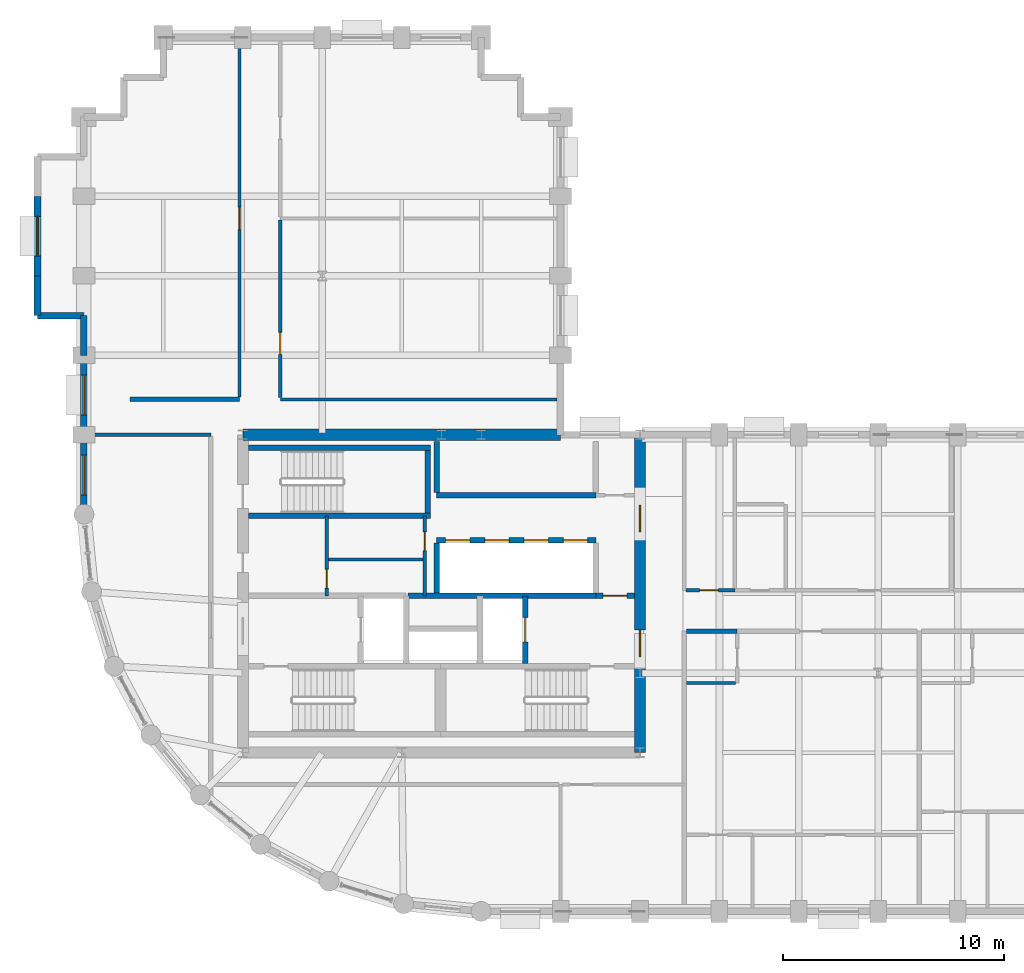
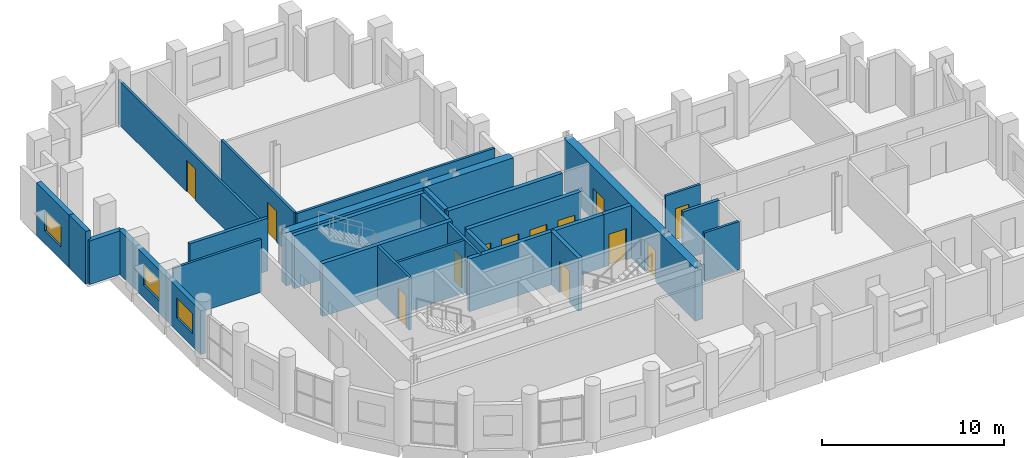
# One storey, part 9 of 14: 29 walls, 13 doors, 3 windows, 16 openings.
"""IFC4 building model written with IfcOpenShell, lengths in metres."""

from ifc_helpers import new_model, si_unit, direction, frame, frame_2d, origin, place, context, subcontext, project, spatial, rectangle, extrude, material, layer, layer_set, type_object, element, fill, save


model = new_model("IFC4")

# Units and contexts
model_context = context("Model", 3, precision=1e-05, world=origin(), true_north=direction((0.0, 1.0)))
body_context = subcontext(model_context, "Body", "Model", "MODEL_VIEW")
ifc_project = project(units=[si_unit("LENGTHUNIT", "METRE"), si_unit("AREAUNIT", "SQUARE_METRE"), si_unit("VOLUMEUNIT", "CUBIC_METRE"), si_unit("PLANEANGLEUNIT", "RADIAN"), si_unit("MASSUNIT", "GRAM", prefix="KILO")], contexts=[model_context])

# Site, building, storey
site_placement = place(None, origin())
site = spatial("IfcSite", under=ifc_project, at=site_placement, CompositionType="ELEMENT")
building_placement = place(site_placement, origin())
building = spatial("IfcBuilding", under=site, at=building_placement, Name="Solnavia Interchange Tower", CompositionType="ELEMENT")
storey_placement = place(building_placement, frame((0.0, 0.0, 158.0)))
storey = spatial("IfcBuildingStorey", under=building, at=storey_placement, Name="L39", CompositionType="ELEMENT", Elevation=158.0)

# Walls
ifc_material_1 = material(Name="Gypsum Acoustic Twin-Stud & Mineral Wool", Category="gypsum")
ifc_layer_1 = layer(ifc_material_1, 0.199951171875)
ifc_layer_set_1 = layer_set([ifc_layer_1], Name="Gypsum Acoustic Twin-Stud & Mineral Wool")
wall_type_1 = type_object("IfcWallType", Name="Wall-ApartmentParty-200", PredefinedType="PARTITIONING", material=ifc_layer_set_1)
wall_1_placement = place(storey_placement, frame((34.50390625, 16.300048828125, 0.0), z_axis=(0.0, 0.0, 1.0), x_axis=(1.0, 0.0, 0.0)))
element("IfcWall", 1, at=wall_1_placement, inside=storey, type_object=wall_type_1, Name="PTW-L39-14 Interior partition wall", PredefinedType="PARTITIONING", context=body_context, shape_type="SweptSolid", body=[
    extrude(rectangle(XDim=2.296142578125, YDim=0.199951171875, at=frame_2d((1.14794921875, 0.0))), origin(), (0.0, 0.0, 1.0), 3.219970703125),
])
wall_2_placement = place(storey_placement, frame((9.300048828125, 26.800048828125, 0.0), z_axis=(0.0, 0.0, 1.0), x_axis=(1.0, 0.0, 0.0)))
element("IfcWall", 2, at=wall_2_placement, inside=storey, type_object=wall_type_1, Name="PTW-L39-31 Interior partition wall", PredefinedType="PARTITIONING", context=body_context, shape_type="SweptSolid", body=[
    extrude(rectangle(XDim=4.949951171875, YDim=0.199951171875, at=frame_2d((2.47509765625, 0.0))), origin(), (0.0, 0.0, 1.0), 3.534912109375),
])

# Wall, opening, window
ifc_material_2 = material(Name="Concrete C40/50", Category="concrete")
ifc_layer_2 = layer(ifc_material_2, 0.300048828125)
ifc_layer_set_2 = layer_set([ifc_layer_2], Name="Concrete C40/50")
wall_type_2 = type_object("IfcWallType", Name="Wall-ExtSpandrel-300", PredefinedType="STANDARD", material=ifc_layer_set_2)
wall_3_placement = place(storey_placement, frame((5.10009765625, 32.39990234375, 0.0), z_axis=(0.0, 0.0, 1.0), x_axis=(0.0, 1.0, 0.0)))
wall_3 = element("IfcWall", 3, at=wall_3_placement, inside=storey, type_object=wall_type_2, Name="EXW-L39-45 Exterior precast spandrel wall", PredefinedType="STANDARD", context=body_context, shape_type="SweptSolid", body=[
    extrude(rectangle(XDim=3.60009765625, YDim=0.300048828125, at=frame_2d((1.800048828125, 0.0))), origin(), (0.0, 0.0, 1.0), 3.534912109375),
])
opening_1_placement = place(wall_3_placement, frame((0.89990234375, 0.0, 0.85009765625)))
opening_1 = element("IfcOpeningElement", 4, at=opening_1_placement, cuts=wall_3, Name="Opening WIN-02", PredefinedType="OPENING", context=body_context, shape_type="SweptSolid", body=[
    extrude(rectangle(XDim=1.800048828125, YDim=1.35009765625, at=frame_2d((0.89990234375, 0.675048828125))), frame((0.0, 0.16015625, 0.0), z_axis=(0.0, -1.0, 0.0), x_axis=(1.0, 0.0, 0.0)), (0.0, 0.0, 1.0), 0.320068359375),
])
ifc_material_3 = material(Name="Thermal-Break Aluminium & Low-E Glass", Category="aluminium")
window_type = type_object("IfcWindowType", Name="Window-Ribbon-1800x1350", PartitioningType="SINGLE_PANEL", PredefinedType="WINDOW", material=ifc_material_3)
window_1_placement = place(opening_1_placement, origin())
window_1 = element("IfcWindow", 5, at=window_1_placement, inside=storey, type_object=window_type, Name="WIN-L39-45 Facade ribbon window", OverallHeight=1.35009765625, OverallWidth=1.800048828125, PartitioningType="SINGLE_PANEL", PredefinedType="WINDOW", context=body_context, shape_type="SweptSolid", body=[
    extrude(rectangle(XDim=1.800048828125, YDim=1.35009765625, at=frame_2d((0.89990234375, 0.675048828125))), frame((0.0, 0.030029296875, 0.0), z_axis=(0.0, -1.0, 0.0), x_axis=(1.0, 0.0, 0.0)), (0.0, 0.0, 1.0), 0.06005859375),
])
fill(opening_1, window_1)

# Walls
wall_4_placement = place(storey_placement, frame((5.10009765625, 30.60009765625, 0.0), z_axis=(0.0, 0.0, 1.0), x_axis=(0.0, 1.0, 0.0)))
element("IfcWall", 6, at=wall_4_placement, inside=storey, type_object=wall_type_2, Name="EXW-L39-46 Exterior precast spandrel wall", PredefinedType="STANDARD", context=body_context, shape_type="SweptSolid", body=[
    extrude(rectangle(XDim=1.7998046875, YDim=0.300048828125, at=frame_2d((0.89990234375, 0.0))), origin(), (0.0, 0.0, 1.0), 3.534912109375),
])
wall_5_placement = place(storey_placement, frame((5.10009765625, 30.60009765625, 0.0), z_axis=(0.0, 0.0, 1.0), x_axis=(1.0, 0.0, 0.0)))
element("IfcWall", 7, at=wall_5_placement, inside=storey, type_object=wall_type_2, Name="EXW-L39-47 Exterior precast spandrel wall", PredefinedType="STANDARD", context=body_context, shape_type="SweptSolid", body=[
    extrude(rectangle(XDim=2.099853515625, YDim=0.300048828125, at=frame_2d((1.0498046875, 0.0))), origin(), (0.0, 0.0, 1.0), 2.929931640625),
])
wall_6_placement = place(storey_placement, frame((7.199951171875, 28.800048828125, 0.0), z_axis=(0.0, 0.0, 1.0), x_axis=(0.0, 1.0, 0.0)))
element("IfcWall", 8, at=wall_6_placement, inside=storey, type_object=wall_type_2, Name="EXW-L39-48 Exterior precast spandrel wall", PredefinedType="STANDARD", context=body_context, shape_type="SweptSolid", body=[
    extrude(rectangle(XDim=1.800048828125, YDim=0.300048828125, at=frame_2d((0.89990234375, 0.0))), origin(), (0.0, 0.0, 1.0), 2.929931640625),
])

# Wall, opening, window
wall_7_placement = place(storey_placement, frame((7.199951171875, 25.199951171875, 0.0), z_axis=(0.0, 0.0, 1.0), x_axis=(0.0, 1.0, 0.0)))
wall_7 = element("IfcWall", 9, at=wall_7_placement, inside=storey, type_object=wall_type_2, Name="EXW-L39-49 Exterior precast spandrel wall", PredefinedType="STANDARD", context=body_context, shape_type="SweptSolid", body=[
    extrude(rectangle(XDim=3.60009765625, YDim=0.300048828125, at=frame_2d((1.800048828125, 0.0))), origin(), (0.0, 0.0, 1.0), 2.929931640625),
])
opening_2_placement = place(wall_7_placement, frame((0.89990234375, 0.0, 0.85009765625)))
opening_2 = element("IfcOpeningElement", 10, at=opening_2_placement, cuts=wall_7, Name="Opening WIN-02", PredefinedType="OPENING", context=body_context, shape_type="SweptSolid", body=[
    extrude(rectangle(XDim=1.800048828125, YDim=1.35009765625, at=frame_2d((0.89990234375, 0.675048828125))), frame((0.0, 0.16015625, 0.0), z_axis=(0.0, -1.0, 0.0), x_axis=(1.0, 0.0, 0.0)), (0.0, 0.0, 1.0), 0.320068359375),
])
window_2_placement = place(opening_2_placement, origin())
window_2 = element("IfcWindow", 11, at=window_2_placement, inside=storey, type_object=window_type, Name="WIN-L39-49 Facade ribbon window", OverallHeight=1.35009765625, OverallWidth=1.800048828125, PartitioningType="SINGLE_PANEL", PredefinedType="WINDOW", context=body_context, shape_type="SweptSolid", body=[
    extrude(rectangle(XDim=1.800048828125, YDim=1.35009765625, at=frame_2d((0.89990234375, 0.675048828125))), frame((0.0, 0.030029296875, 0.0), z_axis=(0.0, -1.0, 0.0), x_axis=(1.0, 0.0, 0.0)), (0.0, 0.0, 1.0), 0.06005859375),
])
fill(opening_2, window_2)

wall_8_placement = place(storey_placement, frame((7.199951171875, 21.60009765625, 0.0), z_axis=(0.0, 0.0, 1.0), x_axis=(0.0, 1.0, 0.0)))
wall_8 = element("IfcWall", 12, at=wall_8_placement, inside=storey, type_object=wall_type_2, Name="EXW-L39-50 Exterior precast spandrel wall", PredefinedType="STANDARD", context=body_context, shape_type="SweptSolid", body=[
    extrude(rectangle(XDim=3.599853515625, YDim=0.300048828125, at=frame_2d((1.7998046875, 0.0))), origin(), (0.0, 0.0, 1.0), 2.929931640625),
])
opening_3_placement = place(wall_8_placement, frame((0.875, 0.0, 0.85009765625)))
opening_3 = element("IfcOpeningElement", 13, at=opening_3_placement, cuts=wall_8, Name="Opening WIN-02", PredefinedType="OPENING", context=body_context, shape_type="SweptSolid", body=[
    extrude(rectangle(XDim=1.800048828125, YDim=1.35009765625, at=frame_2d((0.89990234375, 0.675048828125))), frame((0.0, 0.16015625, 0.0), z_axis=(0.0, -1.0, 0.0), x_axis=(1.0, 0.0, 0.0)), (0.0, 0.0, 1.0), 0.320068359375),
])
window_3_placement = place(opening_3_placement, origin())
window_3 = element("IfcWindow", 14, at=window_3_placement, inside=storey, type_object=window_type, Name="WIN-L39-50 Facade ribbon window", OverallHeight=1.35009765625, OverallWidth=1.800048828125, PartitioningType="SINGLE_PANEL", PredefinedType="WINDOW", context=body_context, shape_type="SweptSolid", body=[
    extrude(rectangle(XDim=1.800048828125, YDim=1.35009765625, at=frame_2d((0.89990234375, 0.675048828125))), frame((0.0, 0.030029296875, 0.0), z_axis=(0.0, -1.0, 0.0), x_axis=(1.0, 0.0, 0.0)), (0.0, 0.0, 1.0), 0.06005859375),
])
fill(opening_3, window_3)

# Wall, opening, door
ifc_material_4 = material(Name="Gypsum Plasterboard & Steel Stud", Category="steel")
ifc_layer_3 = layer(ifc_material_4, 0.14990234375)
ifc_layer_set_3 = layer_set([ifc_layer_3], Name="Gypsum Plasterboard & Steel Stud")
wall_type_3 = type_object("IfcWallType", Name="Wall-Partition-150", PredefinedType="PARTITIONING", material=ifc_layer_set_3)
wall_9_placement = place(storey_placement, frame((22.64990234375, 17.89990234375, 0.0), z_axis=(0.0, 0.0, 1.0), x_axis=(0.0, 1.0, 0.0)))
wall_9 = element("IfcWall", 15, at=wall_9_placement, inside=storey, type_object=wall_type_3, Name="CSW-L39-E Core shaft wall", PredefinedType="PARTITIONING", context=body_context, shape_type="SweptSolid", body=[
    extrude(rectangle(XDim=3.625, YDim=0.14990234375, at=frame_2d((1.8125, 0.0))), origin(), (0.0, 0.0, 1.0), 3.534912109375),
])
opening_4_placement = place(wall_9_placement, frame((2.050048828125, 0.0, 0.0)))
opening_4 = element("IfcOpeningElement", 16, at=opening_4_placement, cuts=wall_9, Name="Opening DR-10", PredefinedType="OPENING", context=body_context, shape_type="SweptSolid", body=[
    extrude(rectangle(XDim=0.85009765625, YDim=2.10009765625, at=frame_2d((0.425048828125, 1.050048828125))), frame((0.0, 0.0849609375, 0.0), z_axis=(0.0, -1.0, 0.0), x_axis=(1.0, 0.0, 0.0)), (0.0, 0.0, 1.0), 0.169921875),
])
ifc_material_5 = material(Name="Moisture-Resistant Timber Door", Category="wood")
door_type_1 = type_object("IfcDoorType", Name="Door-Bathroom-850x2100", OperationType="SINGLE_SWING_RIGHT", PredefinedType="DOOR", material=ifc_material_5)
door_1_placement = place(opening_4_placement, origin())
door_1 = element("IfcDoor", 17, at=door_1_placement, inside=storey, type_object=door_type_1, Name="DR-L39-CS3 Core fire door", OperationType="SINGLE_SWING_LEFT", OverallHeight=2.10009765625, OverallWidth=0.85009765625, PredefinedType="DOOR", context=body_context, shape_type="SweptSolid", body=[
    extrude(rectangle(XDim=0.85009765625, YDim=2.10009765625, at=frame_2d((0.425048828125, 1.050048828125))), frame((0.0, 0.02490234375, 0.0), z_axis=(0.0, -1.0, 0.0), x_axis=(1.0, 0.0, 0.0)), (0.0, 0.0, 1.0), 0.050048828125),
])
fill(opening_4, door_1)

wall_10_placement = place(storey_placement, frame((18.199951171875, 17.89990234375, 0.0), z_axis=(0.0, 0.0, 1.0), x_axis=(0.0, 1.0, 0.0)))
wall_10 = element("IfcWall", 18, at=wall_10_placement, inside=storey, type_object=wall_type_3, Name="CSW-L39-M1 Core shaft wall", PredefinedType="PARTITIONING", context=body_context, shape_type="SweptSolid", body=[
    extrude(rectangle(XDim=3.625, YDim=0.14990234375, at=frame_2d((1.8125, 0.0))), origin(), (0.0, 0.0, 1.0), 3.534912109375),
])
opening_5_placement = place(wall_10_placement, frame((0.35009765625, 0.0, 0.0)))
opening_5 = element("IfcOpeningElement", 19, at=opening_5_placement, cuts=wall_10, Name="Opening DR-10", PredefinedType="OPENING", context=body_context, shape_type="SweptSolid", body=[
    extrude(rectangle(XDim=0.85009765625, YDim=2.10009765625, at=frame_2d((0.425048828125, 1.050048828125))), frame((0.0, 0.0849609375, 0.0), z_axis=(0.0, -1.0, 0.0), x_axis=(1.0, 0.0, 0.0)), (0.0, 0.0, 1.0), 0.169921875),
])
door_2_placement = place(opening_5_placement, origin())
door_2 = element("IfcDoor", 20, at=door_2_placement, inside=storey, type_object=door_type_1, Name="DR-L39-CS2 Core fire door", OperationType="SINGLE_SWING_LEFT", OverallHeight=2.10009765625, OverallWidth=0.85009765625, PredefinedType="DOOR", context=body_context, shape_type="SweptSolid", body=[
    extrude(rectangle(XDim=0.85009765625, YDim=2.10009765625, at=frame_2d((0.425048828125, 1.050048828125))), frame((0.0, 0.02490234375, 0.0), z_axis=(0.0, -1.0, 0.0), x_axis=(1.0, 0.0, 0.0)), (0.0, 0.0, 1.0), 0.050048828125),
])
fill(opening_5, door_2)

# Walls
wall_11_placement = place(storey_placement, frame((18.199951171875, 19.550048828125, 0.0), z_axis=(0.0, 0.0, 1.0), x_axis=(1.0, 0.0, 0.0)))
element("IfcWall", 21, at=wall_11_placement, inside=storey, type_object=wall_type_3, Name="CSW-L39-H1 Core shaft wall", PredefinedType="PARTITIONING", context=body_context, shape_type="SweptSolid", body=[
    extrude(rectangle(XDim=4.449951171875, YDim=0.14990234375, at=frame_2d((2.22509765625, 0.0))), origin(), (0.0, 0.0, 1.0), 3.534912109375),
])
wall_12_placement = place(storey_placement, frame((7.35400390625, 25.199951171875, 0.0), z_axis=(0.0, 0.0, 1.0), x_axis=(1.0, 0.0, 0.0)))
element("IfcWall", 22, at=wall_12_placement, inside=storey, type_object=wall_type_3, Name="PTW-L39-07 Interior partition wall", PredefinedType="PARTITIONING", context=body_context, shape_type="SweptSolid", body=[
    extrude(rectangle(XDim=5.595947265625, YDim=0.14990234375, at=frame_2d((2.7978515625, 0.0))), origin(), (0.0, 0.0, 1.0), 3.534912109375),
])

# Wall, opening, door
wall_13_placement = place(storey_placement, frame((14.25, 26.904052734375, 0.0), z_axis=(0.0, 0.0, 1.0), x_axis=(0.0, 1.0, 0.0)))
wall_13 = element("IfcWall", 23, at=wall_13_placement, inside=storey, type_object=wall_type_3, Name="PTW-L39-32 Interior partition wall", PredefinedType="PARTITIONING", context=body_context, shape_type="SweptSolid", body=[
    extrude(rectangle(XDim=16.141845703125, YDim=0.14990234375, at=frame_2d((8.07080078125, 0.0))), origin(), (0.0, 0.0, 1.0), 2.929931640625),
])
opening_6_placement = place(wall_13_placement, frame((7.595947265625, 0.0, 0.0)))
opening_6 = element("IfcOpeningElement", 24, at=opening_6_placement, cuts=wall_13, Name="Opening DR-07", PredefinedType="OPENING", context=body_context, shape_type="SweptSolid", body=[
    extrude(rectangle(XDim=1.0, YDim=2.10009765625, at=frame_2d((0.5, 1.050048828125))), frame((0.0, 0.0849609375, 0.0), z_axis=(0.0, -1.0, 0.0), x_axis=(1.0, 0.0, 0.0)), (0.0, 0.0, 1.0), 0.169921875),
])
ifc_material_6 = material(Name="Timber & Acoustic Glazed Office Door", Category="wood")
door_type_2 = type_object("IfcDoorType", Name="Door-Office-1000x2100", OperationType="SINGLE_SWING_RIGHT", PredefinedType="DOOR", material=ifc_material_6)
door_3_placement = place(opening_6_placement, origin())
door_3 = element("IfcDoor", 25, at=door_3_placement, inside=storey, type_object=door_type_2, Name="DR-L39-15 Interior room door", OperationType="SINGLE_SWING_RIGHT", OverallHeight=2.10009765625, OverallWidth=1.0, PredefinedType="DOOR", context=body_context, shape_type="SweptSolid", body=[
    extrude(rectangle(XDim=1.0, YDim=2.10009765625, at=frame_2d((0.5, 1.050048828125))), frame((0.0, 0.02490234375, 0.0), z_axis=(0.0, -1.0, 0.0), x_axis=(1.0, 0.0, 0.0)), (0.0, 0.0, 1.0), 0.050048828125),
])
fill(opening_6, door_3)

# Wall
wall_14_placement = place(storey_placement, frame((16.10009765625, 26.800048828125, 0.0), z_axis=(0.0, 0.0, 1.0), x_axis=(1.0, 0.0, 0.0)))
element("IfcWall", 26, at=wall_14_placement, inside=storey, type_object=wall_type_3, Name="PTW-L39-33 Interior partition wall", PredefinedType="PARTITIONING", context=body_context, shape_type="SweptSolid", body=[
    extrude(rectangle(XDim=12.5458984375, YDim=0.14990234375, at=frame_2d((6.27294921875, 0.0))), origin(), (0.0, 0.0, 1.0), 3.169921875),
])

# Wall, opening, door
wall_15_placement = place(storey_placement, frame((16.10009765625, 26.87890625, 0.0), z_axis=(0.0, 0.0, 1.0), x_axis=(0.0, 1.0, 0.0)))
wall_15 = element("IfcWall", 27, at=wall_15_placement, inside=storey, type_object=wall_type_3, Name="PTW-L39-35 Interior partition wall", PredefinedType="PARTITIONING", context=body_context, shape_type="SweptSolid", body=[
    extrude(rectangle(XDim=8.0419921875, YDim=0.14990234375, at=frame_2d((4.02099609375, 0.0))), origin(), (0.0, 0.0, 1.0), 3.169921875),
])
opening_7_placement = place(wall_15_placement, frame((1.9609375, 0.0, 0.0)))
opening_7 = element("IfcOpeningElement", 28, at=opening_7_placement, cuts=wall_15, Name="Opening DR-07", PredefinedType="OPENING", context=body_context, shape_type="SweptSolid", body=[
    extrude(rectangle(XDim=1.0, YDim=2.10009765625, at=frame_2d((0.5, 1.050048828125))), frame((0.0, 0.0849609375, 0.0), z_axis=(0.0, -1.0, 0.0), x_axis=(1.0, 0.0, 0.0)), (0.0, 0.0, 1.0), 0.169921875),
])
door_4_placement = place(opening_7_placement, origin())
door_4 = element("IfcDoor", 29, at=door_4_placement, inside=storey, type_object=door_type_2, Name="DR-L39-16 Interior room door", OperationType="SINGLE_SWING_LEFT", OverallHeight=2.10009765625, OverallWidth=1.0, PredefinedType="DOOR", context=body_context, shape_type="SweptSolid", body=[
    extrude(rectangle(XDim=1.0, YDim=2.10009765625, at=frame_2d((0.5, 1.050048828125))), frame((0.0, 0.02490234375, 0.0), z_axis=(0.0, -1.0, 0.0), x_axis=(1.0, 0.0, 0.0)), (0.0, 0.0, 1.0), 0.050048828125),
])
fill(opening_7, door_4)

# Walls
ifc_layer_4 = layer(ifc_material_2, 0.25)
ifc_layer_set_4 = layer_set([ifc_layer_4], Name="Concrete C40/50")
wall_type_4 = type_object("IfcWallType", Name="Wall-ShaftCore-250", PredefinedType="SHEAR", material=ifc_layer_set_4)
for number, where, z_axis, x_axis, name in (
    (30, (14.64990234375, 21.52490234375, 0.0), (0.0, 0.0, 1.0), (1.0, 0.0, 0.0), "SHW-L39-ST3S Core shear wall"),
    (31, (14.64990234375, 24.614990234375, 0.0), (0.0, 0.0, 1.0), (1.0, 0.0, 0.0), "SHW-L39-ST3N Core shear wall"),
):
    element("IfcWall", number, at=place(storey_placement, frame(where, z_axis=z_axis, x_axis=x_axis)), inside=storey, type_object=wall_type_4, Name=name, PredefinedType="SHEAR", context=body_context, shape_type="SweptSolid", body=[
        extrude(rectangle(XDim=8.25, YDim=0.25, at=frame_2d((4.125, 0.0))), origin(), (0.0, 0.0, 1.0), 3.550048828125),
    ])
wall_16_placement = place(storey_placement, frame((22.77490234375, 21.64990234375, 0.0), z_axis=(0.0, 0.0, 1.0), x_axis=(0.0, 1.0, 0.0)))
element("IfcWall", 32, at=wall_16_placement, inside=storey, type_object=wall_type_4, Name="SHW-L39-ST3E Core shear wall", PredefinedType="SHEAR", context=body_context, shape_type="SweptSolid", body=[
    extrude(rectangle(XDim=2.840087890625, YDim=0.25, at=frame_2d((1.419921875, 0.0))), origin(), (0.0, 0.0, 1.0), 3.550048828125),
])
ifc_layer_5 = layer(ifc_material_2, 0.25)
ifc_layer_set_5 = layer_set([ifc_layer_5], Name="Concrete C40/50")
wall_type_5 = type_object("IfcWallType", Name="Wall-ShaftPart-250", PredefinedType="PARTITIONING", material=ifc_layer_set_5)
wall_17_placement = place(storey_placement, frame((21.8798828125, 17.89990234375, 0.0), z_axis=(0.0, 0.0, 1.0), x_axis=(1.0, 0.0, 0.0)))
element("IfcWall", 33, at=wall_17_placement, inside=storey, type_object=wall_type_5, Name="SHW-L39-FFLE-N1 Core shaft wall", PredefinedType="PARTITIONING", context=body_context, shape_type="SweptSolid", body=[
    extrude(rectangle(XDim=8.52001953125, YDim=0.25, at=frame_2d((4.260009765625, 0.0))), origin(), (0.0, 0.0, 1.0), 3.534912109375),
])

# Wall, opening, door
wall_18_placement = place(storey_placement, frame((30.39990234375, 17.89990234375, 0.0), z_axis=(0.0, 0.0, 1.0), x_axis=(1.0, 0.0, 0.0)))
wall_18 = element("IfcWall", 34, at=wall_18_placement, inside=storey, type_object=wall_type_5, Name="SHW-L39-FFLE-N2 Core shaft wall", PredefinedType="PARTITIONING", context=body_context, shape_type="SweptSolid", body=[
    extrude(rectangle(XDim=1.75, YDim=0.25, at=frame_2d((0.875, 0.0))), origin(), (0.0, 0.0, 1.0), 3.534912109375),
])
opening_8_placement = place(wall_18_placement, frame((0.320068359375, 0.0, 0.0)))
opening_8 = element("IfcOpeningElement", 35, at=opening_8_placement, cuts=wall_18, Name="Opening DR-01", PredefinedType="OPENING", context=body_context, shape_type="SweptSolid", body=[
    extrude(rectangle(XDim=1.10009765625, YDim=2.10009765625, at=frame_2d((0.550048828125, 1.050048828125))), frame((0.0, 0.135009765625, 0.0), z_axis=(0.0, -1.0, 0.0), x_axis=(1.0, 0.0, 0.0)), (0.0, 0.0, 1.0), 0.27001953125),
])
ifc_material_7 = material(Name="Steel Fire-Rated Leaf & Frame", Category="steel")
door_type_3 = type_object("IfcDoorType", Name="Door-StairFire-1100x2100", OperationType="SINGLE_SWING_LEFT", PredefinedType="DOOR", material=ifc_material_7)
door_5_placement = place(opening_8_placement, origin())
door_5 = element("IfcDoor", 36, at=door_5_placement, inside=storey, type_object=door_type_3, Name="DR-L39-LLC Core fire door", OperationType="SINGLE_SWING_LEFT", OverallHeight=2.10009765625, OverallWidth=1.10009765625, PredefinedType="DOOR", context=body_context, shape_type="SweptSolid", body=[
    extrude(rectangle(XDim=1.10009765625, YDim=2.10009765625, at=frame_2d((0.550048828125, 1.050048828125))), frame((0.0, 0.02490234375, 0.0), z_axis=(0.0, -1.0, 0.0), x_axis=(1.0, 0.0, 0.0)), (0.0, 0.0, 1.0), 0.050048828125),
])
fill(opening_8, door_5)

wall_19_placement = place(storey_placement, frame((27.199951171875, 14.840087890625, 0.0), z_axis=(0.0, 0.0, 1.0), x_axis=(0.0, 1.0, 0.0)))
wall_19 = element("IfcWall", 37, at=wall_19_placement, inside=storey, type_object=wall_type_5, Name="SHW-L39-FFL2-E Core shaft wall", PredefinedType="PARTITIONING", context=body_context, shape_type="SweptSolid", body=[
    extrude(rectangle(XDim=3.059814453125, YDim=0.25, at=frame_2d((1.52978515625, 0.0))), origin(), (0.0, 0.0, 1.0), 3.534912109375),
])
opening_9_placement = place(wall_19_placement, frame((0.97998046875, 0.0, 0.0)))
opening_9 = element("IfcOpeningElement", 38, at=opening_9_placement, cuts=wall_19, Name="Opening LD-01", PredefinedType="OPENING", context=body_context, shape_type="SweptSolid", body=[
    extrude(rectangle(XDim=1.10009765625, YDim=2.10009765625, at=frame_2d((0.550048828125, 1.050048828125))), frame((0.0, 0.135009765625, 0.0), z_axis=(0.0, -1.0, 0.0), x_axis=(1.0, 0.0, 0.0)), (0.0, 0.0, 1.0), 0.27001953125),
])
ifc_material_8 = material(Name="Brushed Stainless Steel Sliding Door", Category="steel")
door_type_4 = type_object("IfcDoorType", Name="Door-LiftLanding-1100x2100", OperationType="SLIDING_TO_LEFT", PredefinedType="DOOR", material=ifc_material_8)
door_6_placement = place(opening_9_placement, origin())
door_6 = element("IfcDoor", 39, at=door_6_placement, inside=storey, type_object=door_type_4, Name="LD-L39-FFL2 Lift landing sliding door", OperationType="SLIDING_TO_LEFT", OverallHeight=2.10009765625, OverallWidth=1.10009765625, PredefinedType="DOOR", context=body_context, shape_type="SweptSolid", body=[
    extrude(rectangle(XDim=1.10009765625, YDim=2.10009765625, at=frame_2d((0.550048828125, 1.050048828125))), frame((0.0, 0.02490234375, 0.0), z_axis=(0.0, -1.0, 0.0), x_axis=(1.0, 0.0, 0.0)), (0.0, 0.0, 1.0), 0.050048828125),
])
fill(opening_9, door_6)

# Wall, openings, doors
wall_20_placement = place(storey_placement, frame((23.179931640625, 20.419921875, 0.0), z_axis=(0.0, 0.0, 1.0), x_axis=(1.0, 0.0, 0.0)))
wall_20 = element("IfcWall", 40, at=wall_20_placement, inside=storey, type_object=wall_type_5, Name="SHW-L39-B2N Core shaft wall", PredefinedType="PARTITIONING", context=body_context, shape_type="SweptSolid", body=[
    extrude(rectangle(XDim=7.219970703125, YDim=0.25, at=frame_2d((3.60986328125, 0.0))), origin(), (0.0, 0.0, 1.0), 3.534912109375),
])
opening_10_placement = place(wall_20_placement, frame((0.409912109375, 0.0, 0.0)))
opening_10 = element("IfcOpeningElement", 41, at=opening_10_placement, cuts=wall_20, Name="Opening LD-01", PredefinedType="OPENING", context=body_context, shape_type="SweptSolid", body=[
    extrude(rectangle(XDim=1.10009765625, YDim=2.10009765625, at=frame_2d((0.550048828125, 1.050048828125))), frame((0.0, 0.135009765625, 0.0), z_axis=(0.0, -1.0, 0.0), x_axis=(1.0, 0.0, 0.0)), (0.0, 0.0, 1.0), 0.27001953125),
])
opening_11_placement = place(wall_20_placement, frame((2.18994140625, 0.0, 0.0)))
opening_11 = element("IfcOpeningElement", 42, at=opening_11_placement, cuts=wall_20, Name="Opening LD-01", PredefinedType="OPENING", context=body_context, shape_type="SweptSolid", body=[
    extrude(rectangle(XDim=1.10009765625, YDim=2.10009765625, at=frame_2d((0.550048828125, 1.050048828125))), frame((0.0, 0.135009765625, 0.0), z_axis=(0.0, -1.0, 0.0), x_axis=(1.0, 0.0, 0.0)), (0.0, 0.0, 1.0), 0.27001953125),
])
opening_12_placement = place(wall_20_placement, frame((3.969970703125, 0.0, 0.0)))
opening_12 = element("IfcOpeningElement", 43, at=opening_12_placement, cuts=wall_20, Name="Opening LD-01", PredefinedType="OPENING", context=body_context, shape_type="SweptSolid", body=[
    extrude(rectangle(XDim=1.10009765625, YDim=2.10009765625, at=frame_2d((0.550048828125, 1.050048828125))), frame((0.0, 0.135009765625, 0.0), z_axis=(0.0, -1.0, 0.0), x_axis=(1.0, 0.0, 0.0)), (0.0, 0.0, 1.0), 0.27001953125),
])
opening_13_placement = place(wall_20_placement, frame((5.75, 0.0, 0.0)))
opening_13 = element("IfcOpeningElement", 44, at=opening_13_placement, cuts=wall_20, Name="Opening LD-01", PredefinedType="OPENING", context=body_context, shape_type="SweptSolid", body=[
    extrude(rectangle(XDim=1.10009765625, YDim=2.10009765625, at=frame_2d((0.550048828125, 1.050048828125))), frame((0.0, 0.135009765625, 0.0), z_axis=(0.0, -1.0, 0.0), x_axis=(1.0, 0.0, 0.0)), (0.0, 0.0, 1.0), 0.27001953125),
])
door_7_placement = place(opening_10_placement, origin())
door_7 = element("IfcDoor", 45, at=door_7_placement, inside=storey, type_object=door_type_4, Name="LD-L39-B2-1 Lift landing sliding door", OperationType="SLIDING_TO_LEFT", OverallHeight=2.10009765625, OverallWidth=1.10009765625, PredefinedType="DOOR", context=body_context, shape_type="SweptSolid", body=[
    extrude(rectangle(XDim=1.10009765625, YDim=2.10009765625, at=frame_2d((0.550048828125, 1.050048828125))), frame((0.0, 0.02490234375, 0.0), z_axis=(0.0, -1.0, 0.0), x_axis=(1.0, 0.0, 0.0)), (0.0, 0.0, 1.0), 0.050048828125),
])
fill(opening_10, door_7)
door_8_placement = place(opening_11_placement, origin())
door_8 = element("IfcDoor", 46, at=door_8_placement, inside=storey, type_object=door_type_4, Name="LD-L39-B2-2 Lift landing sliding door", OperationType="SLIDING_TO_LEFT", OverallHeight=2.10009765625, OverallWidth=1.10009765625, PredefinedType="DOOR", context=body_context, shape_type="SweptSolid", body=[
    extrude(rectangle(XDim=1.10009765625, YDim=2.10009765625, at=frame_2d((0.550048828125, 1.050048828125))), frame((0.0, 0.02490234375, 0.0), z_axis=(0.0, -1.0, 0.0), x_axis=(1.0, 0.0, 0.0)), (0.0, 0.0, 1.0), 0.050048828125),
])
fill(opening_11, door_8)
door_9_placement = place(opening_12_placement, origin())
door_9 = element("IfcDoor", 47, at=door_9_placement, inside=storey, type_object=door_type_4, Name="LD-L39-B2-3 Lift landing sliding door", OperationType="SLIDING_TO_LEFT", OverallHeight=2.10009765625, OverallWidth=1.10009765625, PredefinedType="DOOR", context=body_context, shape_type="SweptSolid", body=[
    extrude(rectangle(XDim=1.10009765625, YDim=2.10009765625, at=frame_2d((0.550048828125, 1.050048828125))), frame((0.0, 0.02490234375, 0.0), z_axis=(0.0, -1.0, 0.0), x_axis=(1.0, 0.0, 0.0)), (0.0, 0.0, 1.0), 0.050048828125),
])
fill(opening_12, door_9)
door_10_placement = place(opening_13_placement, origin())
door_10 = element("IfcDoor", 48, at=door_10_placement, inside=storey, type_object=door_type_4, Name="LD-L39-B2-4 Lift landing sliding door", OperationType="SLIDING_TO_LEFT", OverallHeight=2.10009765625, OverallWidth=1.10009765625, PredefinedType="DOOR", context=body_context, shape_type="SweptSolid", body=[
    extrude(rectangle(XDim=1.10009765625, YDim=2.10009765625, at=frame_2d((0.550048828125, 1.050048828125))), frame((0.0, 0.02490234375, 0.0), z_axis=(0.0, -1.0, 0.0), x_axis=(1.0, 0.0, 0.0)), (0.0, 0.0, 1.0), 0.050048828125),
])
fill(opening_13, door_10)

# Walls
wall_21_placement = place(storey_placement, frame((23.179931640625, 18.02490234375, 0.0), z_axis=(0.0, 0.0, 1.0), x_axis=(0.0, 1.0, 0.0)))
element("IfcWall", 49, at=wall_21_placement, inside=storey, type_object=wall_type_5, Name="SHW-L39-B2W Core shaft wall", PredefinedType="PARTITIONING", context=body_context, shape_type="SweptSolid", body=[
    extrude(rectangle(XDim=2.27001953125, YDim=0.25, at=frame_2d((1.135009765625, 0.0))), origin(), (0.0, 0.0, 1.0), 3.534912109375),
])
wall_22_placement = place(storey_placement, frame((23.179931640625, 22.4599609375, 0.0), z_axis=(0.0, 0.0, 1.0), x_axis=(1.0, 0.0, 0.0)))
element("IfcWall", 50, at=wall_22_placement, inside=storey, type_object=wall_type_5, Name="SHW-L39-B3S Core shaft wall", PredefinedType="PARTITIONING", context=body_context, shape_type="SweptSolid", body=[
    extrude(rectangle(XDim=7.219970703125, YDim=0.25, at=frame_2d((3.60986328125, 0.0))), origin(), (0.0, 0.0, 1.0), 3.534912109375),
])
wall_23_placement = place(storey_placement, frame((23.179931640625, 22.5849609375, 0.0), z_axis=(0.0, 0.0, 1.0), x_axis=(0.0, 1.0, 0.0)))
element("IfcWall", 51, at=wall_23_placement, inside=storey, type_object=wall_type_5, Name="SHW-L39-B3W Core shaft wall", PredefinedType="PARTITIONING", context=body_context, shape_type="SweptSolid", body=[
    extrude(rectangle(XDim=2.31494140625, YDim=0.25, at=frame_2d((1.157470703125, 0.0))), origin(), (0.0, 0.0, 1.0), 3.534912109375),
])
ifc_material_9 = material(Name="Concrete C60/75", Category="concrete")
ifc_layer_6 = layer(ifc_material_9, 0.5)
ifc_layer_set_6 = layer_set([ifc_layer_6], Name="Concrete C60/75")
wall_type_6 = type_object("IfcWallType", Name="Wall-ShearCore-500", PredefinedType="SHEAR", material=ifc_layer_set_6)
wall_24_placement = place(storey_placement, frame((14.39990234375, 25.199951171875, 0.0), z_axis=(0.0, 0.0, 1.0), x_axis=(1.0, 0.0, 0.0)))
element("IfcWall", 52, at=wall_24_placement, inside=storey, type_object=wall_type_6, Name="CRW-L39-N Core shear wall", PredefinedType="SHEAR", context=body_context, shape_type="SweptSolid", body=[
    extrude(rectangle(XDim=14.400146484375, YDim=0.5, at=frame_2d((7.2001953125, 0.0))), origin(), (0.0, 0.0, 1.0), 3.550048828125),
])

# Wall, openings, doors
wall_25_placement = place(storey_placement, frame((32.39990234375, 10.800048828125, 0.0), z_axis=(0.0, 0.0, 1.0), x_axis=(0.0, 1.0, 0.0)))
wall_25 = element("IfcWall", 53, at=wall_25_placement, inside=storey, type_object=wall_type_6, Name="CRW-L39-E Core shear wall", PredefinedType="SHEAR", context=body_context, shape_type="SweptSolid", body=[
    extrude(rectangle(XDim=14.39990234375, YDim=0.5, at=frame_2d((7.199951171875, 0.0))), origin(), (0.0, 0.0, 1.0), 3.550048828125),
])
opening_14_placement = place(wall_25_placement, frame((4.35009765625, 0.0, 0.0)))
opening_14 = element("IfcOpeningElement", 54, at=opening_14_placement, cuts=wall_25, Name="Opening DR-02", PredefinedType="OPENING", context=body_context, shape_type="SweptSolid", body=[
    extrude(rectangle(XDim=1.199951171875, YDim=2.10009765625, at=frame_2d((0.60009765625, 1.050048828125))), frame((0.0, 0.260009765625, 0.0), z_axis=(0.0, -1.0, 0.0), x_axis=(1.0, 0.0, 0.0)), (0.0, 0.0, 1.0), 0.52001953125),
])
opening_15_placement = place(wall_25_placement, frame((10.0, 0.0, 0.0)))
opening_15 = element("IfcOpeningElement", 55, at=opening_15_placement, cuts=wall_25, Name="Opening DR-02", PredefinedType="OPENING", context=body_context, shape_type="SweptSolid", body=[
    extrude(rectangle(XDim=1.199951171875, YDim=2.10009765625, at=frame_2d((0.60009765625, 1.050048828125))), frame((0.0, 0.260009765625, 0.0), z_axis=(0.0, -1.0, 0.0), x_axis=(1.0, 0.0, 0.0)), (0.0, 0.0, 1.0), 0.52001953125),
])
ifc_material_10 = material(Name="Steel Fire-Rated Vision-Panel Door", Category="steel")
door_type_5 = type_object("IfcDoorType", Name="Door-LobbyFire-1200x2100", OperationType="SINGLE_SWING_RIGHT", PredefinedType="DOOR", material=ifc_material_10)
door_11_placement = place(opening_14_placement, origin())
door_11 = element("IfcDoor", 56, at=door_11_placement, inside=storey, type_object=door_type_5, Name="DR-L39-FFL2E Core fire door", OperationType="SINGLE_SWING_LEFT", OverallHeight=2.10009765625, OverallWidth=1.199951171875, PredefinedType="DOOR", context=body_context, shape_type="SweptSolid", body=[
    extrude(rectangle(XDim=1.199951171875, YDim=2.10009765625, at=frame_2d((0.60009765625, 1.050048828125))), frame((0.0, 0.02490234375, 0.0), z_axis=(0.0, -1.0, 0.0), x_axis=(1.0, 0.0, 0.0)), (0.0, 0.0, 1.0), 0.050048828125),
])
fill(opening_14, door_11)
door_12_placement = place(opening_15_placement, origin())
door_12 = element("IfcDoor", 57, at=door_12_placement, inside=storey, type_object=door_type_5, Name="DR-L39-LLE Core fire door", OperationType="SINGLE_SWING_RIGHT", OverallHeight=2.10009765625, OverallWidth=1.199951171875, PredefinedType="DOOR", context=body_context, shape_type="SweptSolid", body=[
    extrude(rectangle(XDim=1.199951171875, YDim=2.10009765625, at=frame_2d((0.60009765625, 1.050048828125))), frame((0.0, 0.02490234375, 0.0), z_axis=(0.0, -1.0, 0.0), x_axis=(1.0, 0.0, 0.0)), (0.0, 0.0, 1.0), 0.050048828125),
])
fill(opening_15, door_12)

# Wall, opening, door
ifc_material_11 = material(Name="Moisture-Resistant Gypsum & Steel Stud", Category="steel")
ifc_layer_7 = layer(ifc_material_11, 0.14990234375)
ifc_layer_set_7 = layer_set([ifc_layer_7], Name="Moisture-Resistant Gypsum & Steel Stud")
wall_type_7 = type_object("IfcWallType", Name="Wall-WetRoom-150", PredefinedType="PARTITIONING", material=ifc_layer_set_7)
wall_26_placement = place(storey_placement, frame((34.47900390625, 18.14990234375, 0.0), z_axis=(0.0, 0.0, 1.0), x_axis=(1.0, 0.0, 0.0)))
wall_26 = element("IfcWall", 58, at=wall_26_placement, inside=storey, type_object=wall_type_7, Name="PTW-L39-02 Interior partition wall", PredefinedType="PARTITIONING", context=body_context, shape_type="SweptSolid", body=[
    extrude(rectangle(XDim=2.220947265625, YDim=0.14990234375, at=frame_2d((1.1103515625, 0.0))), origin(), (0.0, 0.0, 1.0), 3.169921875),
])
opening_16_placement = place(wall_26_placement, frame((0.617919921875, 0.0, 0.0)))
opening_16 = element("IfcOpeningElement", 59, at=opening_16_placement, cuts=wall_26, Name="Opening DR-10", PredefinedType="OPENING", context=body_context, shape_type="SweptSolid", body=[
    extrude(rectangle(XDim=0.85009765625, YDim=2.10009765625, at=frame_2d((0.425048828125, 1.050048828125))), frame((0.0, 0.0849609375, 0.0), z_axis=(0.0, -1.0, 0.0), x_axis=(1.0, 0.0, 0.0)), (0.0, 0.0, 1.0), 0.169921875),
])
door_13_placement = place(opening_16_placement, origin())
door_13 = element("IfcDoor", 60, at=door_13_placement, inside=storey, type_object=door_type_1, Name="DR-L39-01 Interior room door", OperationType="SINGLE_SWING_LEFT", OverallHeight=2.10009765625, OverallWidth=0.85009765625, PredefinedType="DOOR", context=body_context, shape_type="SweptSolid", body=[
    extrude(rectangle(XDim=0.85009765625, YDim=2.10009765625, at=frame_2d((0.425048828125, 1.050048828125))), frame((0.0, 0.02490234375, 0.0), z_axis=(0.0, -1.0, 0.0), x_axis=(1.0, 0.0, 0.0)), (0.0, 0.0, 1.0), 0.050048828125),
])
fill(opening_16, door_13)

# Wall
wall_27_placement = place(storey_placement, frame((34.50390625, 13.949951171875, 0.0), z_axis=(0.0, 0.0, 1.0), x_axis=(1.0, 0.0, 0.0)))
element("IfcWall", 61, at=wall_27_placement, inside=storey, type_object=wall_type_7, Name="PTW-L39-16 Interior partition wall", PredefinedType="PARTITIONING", context=body_context, shape_type="SweptSolid", body=[
    extrude(rectangle(XDim=2.217041015625, YDim=0.14990234375, at=frame_2d((1.1083984375, 0.0))), origin(), (0.0, 0.0, 1.0), 3.219970703125),
])

save(model, "model.ifc")
